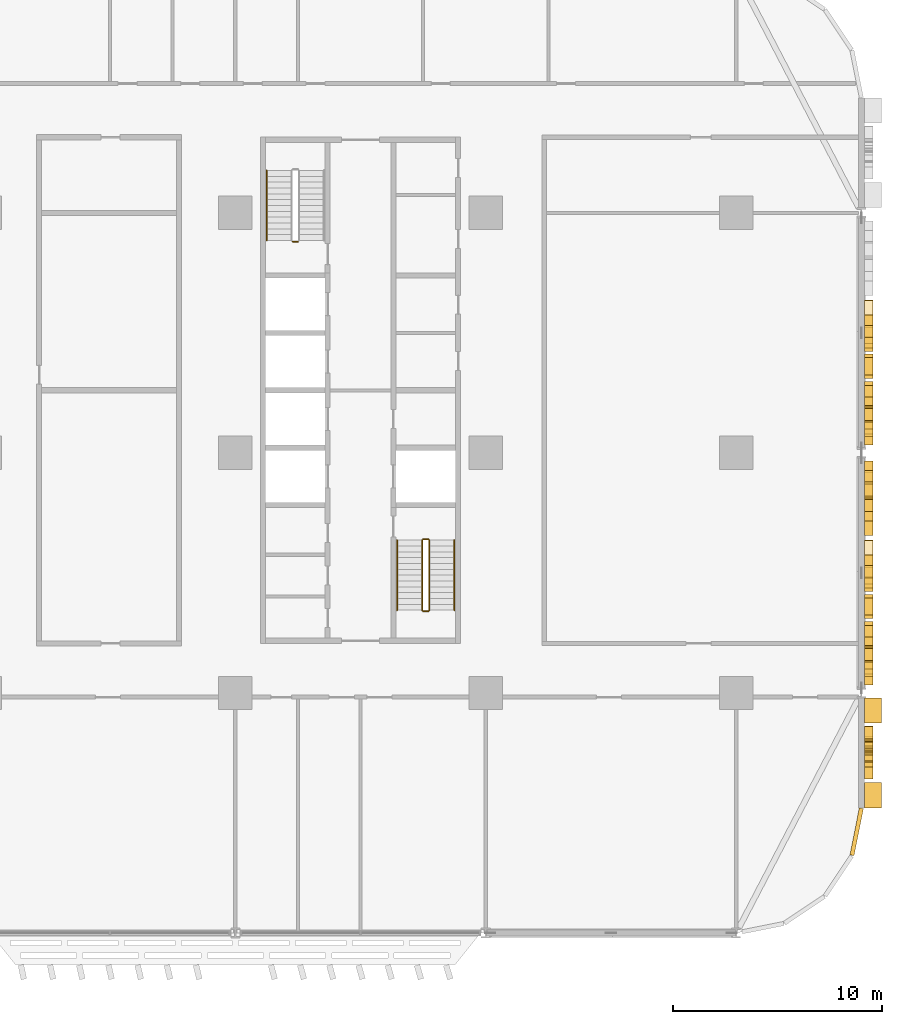
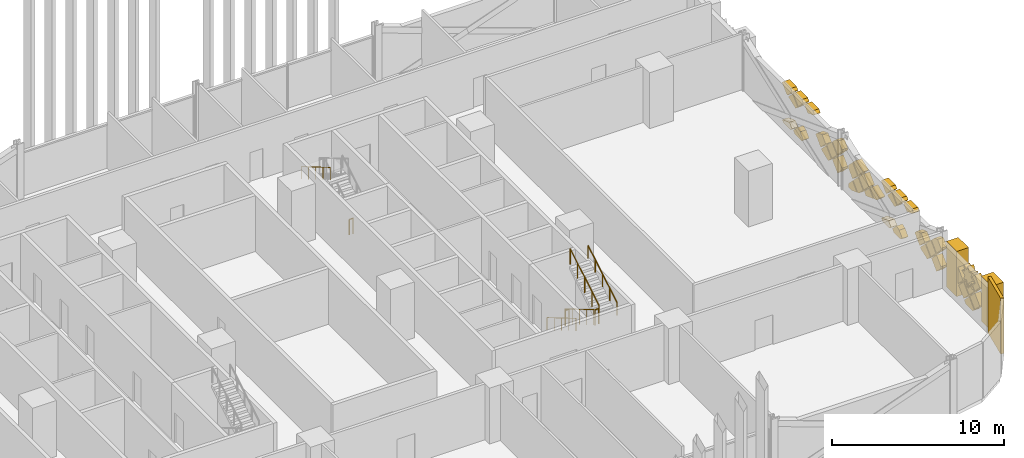
# One storey, part 27 of 29: 39 coverings, 8 railings.
"""IFC4 building model written with IfcOpenShell, lengths in metres."""

from ifc_helpers import new_model, si_unit, direction, frame, origin, origin_2d, place, context, subcontext, project, spatial, polyline, rectangle, circle, outline, extrude, material, layer, layer_set, type_object, element, save


model = new_model("IFC4")

# Units and contexts
model_context = context("Model", 3, precision=1e-05, world=origin(), true_north=direction((0.0, 1.0)))
body_context = subcontext(model_context, "Body", "Model", "MODEL_VIEW")
ifc_project = project(units=[si_unit("LENGTHUNIT", "METRE"), si_unit("AREAUNIT", "SQUARE_METRE"), si_unit("VOLUMEUNIT", "CUBIC_METRE"), si_unit("PLANEANGLEUNIT", "RADIAN"), si_unit("MASSUNIT", "GRAM", prefix="KILO")], contexts=[model_context])

# Site, building, storey
site_placement = place(None, origin())
site = spatial("IfcSite", under=ifc_project, at=site_placement, CompositionType="ELEMENT")
building_placement = place(site_placement, origin())
building = spatial("IfcBuilding", under=site, at=building_placement, Name="Mahtab Terrace Research Tower", CompositionType="ELEMENT")
storey_placement = place(building_placement, frame((0.0, 0.0, 24.39990234375)))
storey = spatial("IfcBuildingStorey", under=building, at=storey_placement, Name="L05", CompositionType="ELEMENT", Elevation=24.39990234375)

# Coverings
ifc_material_1 = material(Name="Black aluminium cladding panel", Category="aluminium")
ifc_layer_1 = layer(ifc_material_1, 0.199951171875)
ifc_layer_set_1 = layer_set([ifc_layer_1], Name="Black metal corner cladding 200")
covering_type_1 = type_object("IfcCoveringType", Name="Black metal corner cladding 200", PredefinedType="CLADDING", material=ifc_layer_set_1)
covering_1_placement = place(storey_placement, frame((47.771484375, -18.14794921875, 0.0), z_axis=(0.0, 0.0, 1.0), x_axis=(0.195212442692, 0.980760981187, 0.0)))
element("IfcCovering", 1, at=covering_1_placement, inside=storey, type_object=covering_type_1, Name="Corner cladding L05 32", PredefinedType="CLADDING", context=body_context, shape_type="SweptSolid", body=[
    extrude(rectangle(XDim=2.30126953125, YDim=0.199951171875, at=origin_2d()), origin(), (0.0, 0.0, 1.0), 3.9599609375),
])
ifc_material_2 = material(Name="Bronze anodised aluminium", Category="aluminium")
ifc_layer_2 = layer(ifc_material_2, 0.39990234375)
ifc_layer_set_2 = layer_set([ifc_layer_2], Name="Mashrabiya relief panel 400")
covering_type_2 = type_object("IfcCoveringType", Name="Mashrabiya relief panel 400", PredefinedType="CLADDING", material=ifc_layer_set_2)
covering_2_placement = place(storey_placement, frame((48.14990234375, -14.10498046875, 2.60107421875), z_axis=(-1.0, 0.0, 0.0), x_axis=(0.0, 0.924784909208, 0.380490304346)))
element("IfcCovering", 2, at=covering_2_placement, inside=storey, type_object=covering_type_2, Name="Girih star panel L05 E33.1", PredefinedType="CLADDING", context=body_context, shape_type="SweptSolid", body=[
    extrude(outline(polyline([(0.0, 0.0), (0.3785719822676483, 0.0), (0.11215445471266995, 0.26895807623038387), (0.37961207055159285, 0.5358142483447127), (0.0017974035497291263, 0.5371818243111587), (0.0018902966904386642, 0.9155280290130825), (-0.2670677795399452, 0.6491105014581041), (-0.5340168447949836, 0.9167938948627515), (-0.53529152762072, 0.5387534502951633), (-0.9138635098883683, 0.5387534502951632), (-0.6475388754740995, 0.270021151630504), (-0.9149964913130224, 0.0031649795161750593), (-0.5371818243111587, 0.0017974035497291263), (-0.5371818243111587, -0.3767745787179192), (-0.2682237480807748, -0.11035705116294083), (-0.0012746828257363951, -0.3780404445675883), (0.0, 0.0)])), origin(), (0.0, 0.0, -1.0), 0.39990234375),
])
covering_3_placement = place(storey_placement, frame((48.14990234375, -15.050048828125, 1.530029296875), z_axis=(-1.0, 0.0, 0.0), x_axis=(0.0, 0.707255598772, -0.706957932274)))
element("IfcCovering", 3, at=covering_3_placement, inside=storey, type_object=covering_type_2, Name="Mashrabiya lattice cell L05 E33.2", PredefinedType="CLADDING", context=body_context, shape_type="SweptSolid", body=[
    extrude(outline(polyline([(0.0, 0.0), (0.8201817362875763, 0.0), (0.8200090664636573, 0.8203543334390104), (-0.00017259715143413956, 0.8200090664636573), (0.0, 0.0)])), origin(), (0.0, 0.0, -1.0), 0.39990234375),
])
covering_4_placement = place(storey_placement, frame((48.14990234375, -15.050048828125, 1.670166015625), z_axis=(-1.0, 0.0, 0.0), x_axis=(0.0, -0.707106781187, 0.707106781187)))
element("IfcCovering", 4, at=covering_4_placement, inside=storey, type_object=covering_type_2, Name="Mashrabiya lattice cell L05 E33.3", PredefinedType="CLADDING", context=body_context, shape_type="SweptSolid", body=[
    extrude(outline(polyline([(0.0, 0.0), (0.8200090846279543, 0.0), (0.820181718119455, 0.820181718119455), (0.5218710448063802, 0.820181718119455), (0.3711620067263372, 0.7571704937217278), (0.46869992942418864, 0.5184183749763678), (0.4595503543746557, 0.4184635833975076), (0.40517080455195975, 0.3627029656428068), (0.32817626734268235, 0.34647541744174826), (0.0628385909062264, 0.4488470779016171), (0.0, 0.29831067331307476), (0.0, 0.0)])), origin(), (0.0, 0.0, -1.0), 0.39990234375),
])
covering_5_placement = place(storey_placement, frame((48.14990234375, -14.97998046875, 0.300048828125), z_axis=(-1.0, 0.0, 0.0), x_axis=(0.0, 0.707106781187, 0.707106781187)))
element("IfcCovering", 5, at=covering_5_placement, inside=storey, type_object=covering_type_2, Name="Mashrabiya lattice cell L05 E33.4", PredefinedType="CLADDING", context=body_context, shape_type="SweptSolid", body=[
    extrude(outline(polyline([(0.0, 0.0), (0.8203543516109556, 0.0), (0.820181718119455, 0.820181718119455), (0.5867812376106141, 0.8201817181194551), (0.0, 0.2334004805088409), (0.0, 0.0)])), origin(), (0.0, 0.0, -1.0), 0.39990234375),
])
covering_6_placement = place(storey_placement, frame((48.14990234375, -13.820068359375, 1.60009765625), z_axis=(-1.0, 0.0, 0.0), x_axis=(0.0, -0.706957932274, -0.707255598772)))
element("IfcCovering", 6, at=covering_6_placement, inside=storey, type_object=covering_type_2, Name="Mashrabiya lattice cell L05 E33.5", PredefinedType="CLADDING", context=body_context, shape_type="SweptSolid", body=[
    extrude(outline(polyline([(0.0, 0.0), (0.8201817362875763, 0.0), (0.8200090664636573, 0.8203543334390104), (0.6674010633575788, 0.8203222122007225), (0.6765677525746102, 0.7390137653259107), (0.6382583068597403, 0.6668449008312943), (0.37104724865108085, 0.5452546770037502), (0.47226359601594403, 0.2928858110586709), (0.46796145758741753, 0.22780207779854778), (0.436208087417592, 0.1746242777255646), (0.3802821046588682, 0.14008580724771275), (0.3152001882108655, 0.13575627129241125), (0.06278873618968497, 0.23686637148447576), (-1.8168121203594734e-05, 0.08631674383827972), (0.0, 0.0)])), origin(), (0.0, 0.0, -1.0), 0.39990234375),
])
covering_7_placement = place(storey_placement, frame((48.14990234375, -13.75, 1.530029296875), z_axis=(-1.0, 0.0, 0.0), x_axis=(0.0, 0.707255598772, -0.706957932274)))
element("IfcCovering", 7, at=covering_7_placement, inside=storey, type_object=covering_type_2, Name="Mashrabiya lattice cell L05 E33.6", PredefinedType="CLADDING", context=body_context, shape_type="SweptSolid", body=[
    extrude(outline(polyline([(0.0, 0.0), (0.8201817362875763, 0.0), (0.8200090664636573, 0.8203543334390104), (-0.0003452669753531423, 0.8201816636150915), (0.0, 0.0)])), origin(), (0.0, 0.0, -1.0), 0.39990234375),
])
covering_8_placement = place(storey_placement, frame((48.14990234375, -13.10009765625, 1.02001953125), z_axis=(-1.0, 0.0, 0.0), x_axis=(0.0, -0.706957932274, 0.707255598772)))
element("IfcCovering", 8, at=covering_8_placement, inside=storey, type_object=covering_type_2, Name="Mashrabiya lattice cell L05 E33.7", PredefinedType="CLADDING", context=body_context, shape_type="SweptSolid", body=[
    extrude(outline(polyline([(0.0, 0.0), (0.8201817362875763, 0.0), (0.8205270032629295, 0.8201816636150915), (0.7977393828896235, 0.8201864599990892), (4.796383997748149e-06, 0.022787620373305846), (0.0, 0.0)])), origin(), (0.0, 0.0, -1.0), 0.39990234375),
])
covering_9_placement = place(storey_placement, frame((48.14990234375, -10.60107421875, 1.530029296875), z_axis=(-1.0, 0.0, 0.0), x_axis=(0.0, 0.707255598772, -0.706957932274)))
element("IfcCovering", 9, at=covering_9_placement, inside=storey, type_object=covering_type_2, Name="Mashrabiya lattice cell L05 E34.1", PredefinedType="CLADDING", context=body_context, shape_type="SweptSolid", body=[
    extrude(outline(polyline([(0.0, 0.0), (0.8201817362875763, 0.0), (0.8200090664636573, 0.8203543334390104), (0.09184101544392964, 0.8202010671685369), (-0.0001532662704735177, 0.7281680510197277), (0.0, 0.0)])), origin(), (0.0, 0.0, -1.0), 0.39990234375),
])
covering_10_placement = place(storey_placement, frame((48.14990234375, -10.02099609375, 2.25), z_axis=(-1.0, 0.0, 0.0), x_axis=(0.0, -0.707255598772, -0.706957932274)))
element("IfcCovering", 10, at=covering_10_placement, inside=storey, type_object=covering_type_2, Name="Mashrabiya lattice cell L05 E34.2", PredefinedType="CLADDING", context=body_context, shape_type="SweptSolid", body=[
    extrude(outline(polyline([(0.0, 0.0), (0.8201817362875763, 0.0), (0.8203350025580498, 0.7281680510197277), (0.7283407208436468, 0.8202010671685369), (0.16417448311665045, 0.8203198140087236), (-7.557938420696408e-05, 0.4611040819203327), (0.0, 0.0)])), origin(), (0.0, 0.0, -1.0), 0.39990234375),
])
covering_11_placement = place(storey_placement, frame((48.14990234375, -9.950927734375, 2.18017578125), z_axis=(-1.0, 0.0, 0.0), x_axis=(0.0, 0.706957932274, -0.707255598772)))
element("IfcCovering", 11, at=covering_11_placement, inside=storey, type_object=covering_type_2, Name="Mashrabiya lattice cell L05 E34.3", PredefinedType="CLADDING", context=body_context, shape_type="SweptSolid", body=[
    extrude(outline(polyline([(0.0, 0.0), (0.8201817362875763, 0.0), (0.8205270032629295, 0.8201816636150915), (0.00017266982391900276, 0.8203543334390104), (0.0, 0.0)])), origin(), (0.0, 0.0, -1.0), 0.39990234375),
])
covering_12_placement = place(storey_placement, frame((48.14990234375, -9.881103515625, 0.9501953125), z_axis=(-1.0, 0.0, 0.0), x_axis=(0.0, 0.707255598772, 0.706957932274)))
element("IfcCovering", 12, at=covering_12_placement, inside=storey, type_object=covering_type_2, Name="Mashrabiya lattice cell L05 E34.4", PredefinedType="CLADDING", context=body_context, shape_type="SweptSolid", body=[
    extrude(outline(polyline([(0.0, 0.0), (0.8201817362875763, 0.0), (0.8205270032629295, 0.8201816636150915), (0.697266693061866, 0.8202076076921702), (0.00010602915534418944, 0.5037445170402004), (0.0, 0.0)])), origin(), (0.0, 0.0, -1.0), 0.39990234375),
])
covering_13_placement = place(storey_placement, frame((48.14990234375, -8.071044921875, 1.60009765625), z_axis=(-1.0, 0.0, 0.0), x_axis=(0.0, -0.706957932274, -0.707255598772)))
element("IfcCovering", 13, at=covering_13_placement, inside=storey, type_object=covering_type_2, Name="Mashrabiya lattice cell L05 E34.5", PredefinedType="CLADDING", context=body_context, shape_type="SweptSolid", body=[
    extrude(outline(polyline([(0.0, 0.0), (0.8201817362875763, 0.0), (0.8200090664636573, 0.8203543334390104), (0.2444490185500081, 0.8202331884068248), (-5.922807512373507e-05, 0.28139258491279184), (0.0, 0.0)])), origin(), (0.0, 0.0, -1.0), 0.39990234375),
])
covering_14_placement = place(storey_placement, frame((48.14990234375, -7.930908203125, 2.900146484375), z_axis=(-1.0, 0.0, 0.0), x_axis=(0.0, 0.707106781187, 0.707106781187)))
element("IfcCovering", 14, at=covering_14_placement, inside=storey, type_object=covering_type_2, Name="Mashrabiya lattice cell L05 E34.6", PredefinedType="CLADDING", context=body_context, shape_type="SweptSolid", body=[
    extrude(outline(polyline([(0.0, 0.0), (0.2375436843048558, 0.0), (0.820181718119455, 0.5826380338145992), (0.820181718119455, 0.820181718119455), (0.2926137680935542, 0.820181718119455), (0.0, 0.1767766952966369), (0.0, 0.0)])), origin(), (0.0, 0.0, -1.0), 0.39990234375),
])
covering_15_placement = place(storey_placement, frame((48.14990234375, -6.631103515625, 0.300048828125), z_axis=(-1.0, 0.0, 0.0), x_axis=(0.0, 0.707106781187, 0.707106781187)))
element("IfcCovering", 15, at=covering_15_placement, inside=storey, type_object=covering_type_2, Name="Mashrabiya lattice cell L05 E34.7", PredefinedType="CLADDING", context=body_context, shape_type="SweptSolid", body=[
    extrude(outline(polyline([(0.0, 0.0), (0.5134120037228497, 0.0), (0.8203543516109556, 0.14017839509850505), (0.8203543516109556, 0.8203543516109556), (0.5869538711021146, 0.8203543516109556), (0.0, 0.2334004805088409), (0.0, 0.0)])), origin(), (0.0, 0.0, -1.0), 0.39990234375),
])
covering_16_placement = place(storey_placement, frame((48.14990234375, -5.470947265625, 2.900146484375), z_axis=(-1.0, 0.0, 0.0), x_axis=(0.0, -0.707106781187, -0.707106781187)))
element("IfcCovering", 16, at=covering_16_placement, inside=storey, type_object=covering_type_2, Name="Mashrabiya lattice cell L05 E34.8", PredefinedType="CLADDING", context=body_context, shape_type="SweptSolid", body=[
    extrude(outline(polyline([(0.0, 0.0), (0.8203543516109556, 0.0), (0.8203543516109556, 0.8203543516109556), (0.5826380338145992, 0.820181718119455), (0.0, 0.2375436843048558), (0.0, 0.0)])), origin(), (0.0, 0.0, -1.0), 0.39990234375),
])
covering_17_placement = place(storey_placement, frame((48.14990234375, -5.98095703125, 2.25), z_axis=(-1.0, 0.0, 0.0), x_axis=(0.0, 0.707106781187, 0.707106781187)))
element("IfcCovering", 17, at=covering_17_placement, inside=storey, type_object=covering_type_2, Name="Mashrabiya lattice cell L05 E34.9", PredefinedType="CLADDING", context=body_context, shape_type="SweptSolid", body=[
    extrude(outline(polyline([(0.0, 0.0), (0.8203543516109556, 0.0), (0.8203543516109556, 0.7140121208465725), (0.0, 0.3393974442902228), (0.0, 0.0)])), origin(), (0.0, 0.0, -1.0), 0.39990234375),
])
covering_18_placement = place(storey_placement, frame((48.14990234375, -5.3310546875, 0.300048828125), z_axis=(-1.0, 0.0, 0.0), x_axis=(0.0, 0.707106781187, 0.707106781187)))
element("IfcCovering", 18, at=covering_18_placement, inside=storey, type_object=covering_type_2, Name="Mashrabiya lattice cell L05 E34.10", PredefinedType="CLADDING", context=body_context, shape_type="SweptSolid", body=[
    extrude(outline(polyline([(0.0, 0.0), (0.4115582437374828, 0.0), (0.7863455537853331, 0.820181718119455), (0.5869538711021146, 0.8203543516109556), (0.0, 0.2334004805088409), (0.0, 0.0)])), origin(), (0.0, 0.0, -1.0), 0.39990234375),
])
covering_19_placement = place(storey_placement, frame((48.14990234375, -5.3310546875, 2.900146484375), z_axis=(-1.0, 0.0, 0.0), x_axis=(0.0, 0.707106781187, 0.707106781187)))
element("IfcCovering", 19, at=covering_19_placement, inside=storey, type_object=covering_type_2, Name="Mashrabiya lattice cell L05 E34.11", PredefinedType="CLADDING", context=body_context, shape_type="SweptSolid", body=[
    extrude(outline(polyline([(0.0, 0.0), (0.2375436843048558, 0.0), (0.820181718119455, 0.5826380338145992), (0.8203543516109556, 0.8203543516109556), (0.1343088563874839, 0.8203543516109556), (0.0, 0.7595873626027366), (0.0, 0.0)])), origin(), (0.0, 0.0, -1.0), 0.39990234375),
])
covering_20_placement = place(storey_placement, frame((48.14990234375, -3.9580078125, 1.527099609375), z_axis=(-1.0, 0.0, 0.0), x_axis=(0.0, 0.936540541173, 0.350559288481)))
element("IfcCovering", 20, at=covering_20_placement, inside=storey, type_object=covering_type_2, Name="Mashrabiya lattice cell L05 E34.12", PredefinedType="CLADDING", context=body_context, shape_type="SweptSolid", body=[
    extrude(outline(polyline([(0.0, 0.0), (0.9011827075507265, -5.551115123125783e-17), (1.0435292276748973, 0.31266219006469476), (0.41560539492692705, 0.5987283725402599), (0.17868422475888357, 0.3924774627043254), (0.0, 0.0)])), origin(), (0.0, 0.0, -1.0), 0.39990234375),
])
covering_21_placement = place(storey_placement, frame((48.14990234375, -2.801025390625, 1.530029296875), z_axis=(-1.0, 0.0, 0.0), x_axis=(0.0, 0.707255598772, -0.706957932274)))
element("IfcCovering", 21, at=covering_21_placement, inside=storey, type_object=covering_type_2, Name="Mashrabiya lattice cell L05 E34.13", PredefinedType="CLADDING", context=body_context, shape_type="SweptSolid", body=[
    extrude(outline(polyline([(0.0, 0.0), (0.8201817362875763, 0.0), (0.8201245430420274, 0.2717251096029046), (-0.0003083493530673942, 0.6447860401357071), (0.0, 0.0)])), origin(), (0.0, 0.0, -1.0), 0.39990234375),
])
covering_22_placement = place(storey_placement, frame((48.14990234375, -2.15087890625, 2.18017578125), z_axis=(-1.0, 0.0, 0.0), x_axis=(0.0, 0.706957932274, -0.707255598772)))
element("IfcCovering", 22, at=covering_22_placement, inside=storey, type_object=covering_type_2, Name="Mashrabiya lattice cell L05 E34.14", PredefinedType="CLADDING", context=body_context, shape_type="SweptSolid", body=[
    extrude(outline(polyline([(0.0, 0.0), (0.8201817362875763, 0.0), (0.8205270032629295, 0.8201816636150915), (0.00017266982391900276, 0.8203543334390104), (0.0, 0.0)])), origin(), (0.0, 0.0, -1.0), 0.39990234375),
])
covering_23_placement = place(storey_placement, frame((48.14990234375, -2.0810546875, 0.9501953125), z_axis=(-1.0, 0.0, 0.0), x_axis=(0.0, 0.707255598772, 0.706957932274)))
element("IfcCovering", 23, at=covering_23_placement, inside=storey, type_object=covering_type_2, Name="Mashrabiya lattice cell L05 E34.15", PredefinedType="CLADDING", context=body_context, shape_type="SweptSolid", body=[
    extrude(outline(polyline([(0.0, 0.0), (0.8201817362875763, 0.0), (0.8205270032629295, 0.8201816636150915), (0.04816477939800251, 0.8203442319636213), (0.0001500686811417018, 0.7129763041041906), (0.0, 0.0)])), origin(), (0.0, 0.0, -1.0), 0.39990234375),
])
covering_24_placement = place(storey_placement, frame((48.14990234375, -0.9208984375, 2.25), z_axis=(-1.0, 0.0, 0.0), x_axis=(0.0, -0.707255598772, -0.706957932274)))
element("IfcCovering", 24, at=covering_24_placement, inside=storey, type_object=covering_type_2, Name="Mashrabiya lattice cell L05 E34.16", PredefinedType="CLADDING", context=body_context, shape_type="SweptSolid", body=[
    extrude(outline(polyline([(0.0, 0.0), (0.8201817362875763, 0.0), (0.8203499004174368, 0.798947780967117), (8.931448383686647e-05, 0.4243331127089831), (0.0, 0.0)])), origin(), (0.0, 0.0, -1.0), 0.39990234375),
])
covering_25_placement = place(storey_placement, frame((48.14990234375, -0.43603515625, 0.135009765625), z_axis=(-1.0, 0.0, 0.0), x_axis=(0.0, -1.0, 0.0)))
element("IfcCovering", 25, at=covering_25_placement, inside=storey, type_object=covering_type_2, Name="Mashrabiya lattice cell L05 E34.17", PredefinedType="CLADDING", context=body_context, shape_type="SweptSolid", body=[
    extrude(outline(polyline([(0.0, 0.0), (0.31005859375, 0.0), (0.928955078125, 0.231201171875), (0.4150390625, 0.7451171875), (-0.052001953125, 0.278076171875), (-0.052001953125, 0.052001953125), (0.0, 0.0)])), origin(), (0.0, 0.0, -1.0), 0.39990234375),
])
covering_26_placement = place(storey_placement, frame((48.14990234375, -0.85107421875, 1.02001953125), z_axis=(-1.0, 0.0, 0.0), x_axis=(0.0, -0.706957932274, 0.707255598772)))
element("IfcCovering", 26, at=covering_26_placement, inside=storey, type_object=covering_type_2, Name="Mashrabiya lattice cell L05 E34.18", PredefinedType="CLADDING", context=body_context, shape_type="SweptSolid", body=[
    extrude(outline(polyline([(0.0, 0.0), (0.8201817362875763, 0.0), (0.8205270032629295, 0.8201816636150915), (0.16003127941241302, 0.8203206860785415), (0.00013902246344993374, 0.6604957238505165), (0.0, 0.0)])), origin(), (0.0, 0.0, -1.0), 0.39990234375),
])
covering_27_placement = place(storey_placement, frame((48.14990234375, 0.89892578125, 1.530029296875), z_axis=(-1.0, 0.0, 0.0), x_axis=(0.0, 0.707255598772, -0.706957932274)))
element("IfcCovering", 27, at=covering_27_placement, inside=storey, type_object=covering_type_2, Name="Mashrabiya lattice cell L05 E35.1", PredefinedType="CLADDING", context=body_context, shape_type="SweptSolid", body=[
    extrude(outline(polyline([(0.0, 0.0), (0.8201817362875763, 0.0), (0.8200090664636573, 0.8203543334390104), (0.09184101544392964, 0.8202010671685369), (-0.0001532662704735177, 0.7281680510197277), (0.0, 0.0)])), origin(), (0.0, 0.0, -1.0), 0.39990234375),
])
covering_28_placement = place(storey_placement, frame((48.14990234375, 1.47900390625, 2.25), z_axis=(-1.0, 0.0, 0.0), x_axis=(0.0, -0.707255598772, -0.706957932274)))
element("IfcCovering", 28, at=covering_28_placement, inside=storey, type_object=covering_type_2, Name="Mashrabiya lattice cell L05 E35.2", PredefinedType="CLADDING", context=body_context, shape_type="SweptSolid", body=[
    extrude(outline(polyline([(0.0, 0.0), (0.8201817362875763, 0.0), (0.8203350025580498, 0.7281680510197277), (0.7283407208436468, 0.8202010671685369), (0.16417448311665045, 0.8203198140087236), (-7.557938420696408e-05, 0.4611040819203327), (0.0, 0.0)])), origin(), (0.0, 0.0, -1.0), 0.39990234375),
])
covering_29_placement = place(storey_placement, frame((48.14990234375, 1.549072265625, 2.18017578125), z_axis=(-1.0, 0.0, 0.0), x_axis=(0.0, 0.706957932274, -0.707255598772)))
element("IfcCovering", 29, at=covering_29_placement, inside=storey, type_object=covering_type_2, Name="Mashrabiya lattice cell L05 E35.3", PredefinedType="CLADDING", context=body_context, shape_type="SweptSolid", body=[
    extrude(outline(polyline([(0.0, 0.0), (0.8201817362875763, 0.0), (0.8205270032629295, 0.8201816636150915), (0.00017266982391900276, 0.8203543334390104), (0.0, 0.0)])), origin(), (0.0, 0.0, -1.0), 0.39990234375),
])
covering_30_placement = place(storey_placement, frame((48.14990234375, 1.618896484375, 0.9501953125), z_axis=(-1.0, 0.0, 0.0), x_axis=(0.0, 0.707255598772, 0.706957932274)))
element("IfcCovering", 30, at=covering_30_placement, inside=storey, type_object=covering_type_2, Name="Mashrabiya lattice cell L05 E35.4", PredefinedType="CLADDING", context=body_context, shape_type="SweptSolid", body=[
    extrude(outline(polyline([(0.0, 0.0), (0.8201817362875763, 0.0), (0.8205270032629295, 0.8201816636150915), (0.697266693061866, 0.8202076076921702), (0.00010602915534418944, 0.5037445170402004), (0.0, 0.0)])), origin(), (0.0, 0.0, -1.0), 0.39990234375),
])
covering_31_placement = place(storey_placement, frame((48.14990234375, 3.428955078125, 1.60009765625), z_axis=(-1.0, 0.0, 0.0), x_axis=(0.0, -0.706957932274, -0.707255598772)))
element("IfcCovering", 31, at=covering_31_placement, inside=storey, type_object=covering_type_2, Name="Mashrabiya lattice cell L05 E35.5", PredefinedType="CLADDING", context=body_context, shape_type="SweptSolid", body=[
    extrude(outline(polyline([(0.0, 0.0), (0.8201817362875763, 0.0), (0.8200090664636573, 0.8203543334390104), (0.2444490185500081, 0.8202331884068248), (-5.922807512373507e-05, 0.28139258491279184), (0.0, 0.0)])), origin(), (0.0, 0.0, -1.0), 0.39990234375),
])
covering_32_placement = place(storey_placement, frame((48.14990234375, 3.569091796875, 2.900146484375), z_axis=(-1.0, 0.0, 0.0), x_axis=(0.0, 0.707106781187, 0.707106781187)))
element("IfcCovering", 32, at=covering_32_placement, inside=storey, type_object=covering_type_2, Name="Mashrabiya lattice cell L05 E35.6", PredefinedType="CLADDING", context=body_context, shape_type="SweptSolid", body=[
    extrude(outline(polyline([(0.0, 0.0), (0.2375436843048558, 0.0), (0.820181718119455, 0.5826380338145992), (0.820181718119455, 0.820181718119455), (0.2926137680935542, 0.820181718119455), (0.0, 0.1767766952966369), (0.0, 0.0)])), origin(), (0.0, 0.0, -1.0), 0.39990234375),
])
covering_33_placement = place(storey_placement, frame((48.14990234375, 4.868896484375, 0.300048828125), z_axis=(-1.0, 0.0, 0.0), x_axis=(0.0, 0.707106781187, 0.707106781187)))
element("IfcCovering", 33, at=covering_33_placement, inside=storey, type_object=covering_type_2, Name="Mashrabiya lattice cell L05 E35.7", PredefinedType="CLADDING", context=body_context, shape_type="SweptSolid", body=[
    extrude(outline(polyline([(0.0, 0.0), (0.5134120037228497, 0.0), (0.8203543516109556, 0.14017839509850505), (0.8203543516109556, 0.8203543516109556), (0.5869538711021146, 0.8203543516109556), (0.0, 0.2334004805088409), (0.0, 0.0)])), origin(), (0.0, 0.0, -1.0), 0.39990234375),
])
covering_34_placement = place(storey_placement, frame((48.14990234375, 6.029052734375, 2.900146484375), z_axis=(-1.0, 0.0, 0.0), x_axis=(0.0, -0.707106781187, -0.707106781187)))
element("IfcCovering", 34, at=covering_34_placement, inside=storey, type_object=covering_type_2, Name="Mashrabiya lattice cell L05 E35.8", PredefinedType="CLADDING", context=body_context, shape_type="SweptSolid", body=[
    extrude(outline(polyline([(0.0, 0.0), (0.8203543516109556, 0.0), (0.8203543516109556, 0.8203543516109556), (0.5826380338145992, 0.820181718119455), (0.0, 0.2375436843048558), (0.0, 0.0)])), origin(), (0.0, 0.0, -1.0), 0.39990234375),
])
covering_35_placement = place(storey_placement, frame((48.14990234375, 5.51904296875, 2.25), z_axis=(-1.0, 0.0, 0.0), x_axis=(0.0, 0.707106781187, 0.707106781187)))
element("IfcCovering", 35, at=covering_35_placement, inside=storey, type_object=covering_type_2, Name="Mashrabiya lattice cell L05 E35.9", PredefinedType="CLADDING", context=body_context, shape_type="SweptSolid", body=[
    extrude(outline(polyline([(0.0, 0.0), (0.8203543516109556, 0.0), (0.8203543516109556, 0.7140121208465725), (0.0, 0.3393974442902228), (0.0, 0.0)])), origin(), (0.0, 0.0, -1.0), 0.39990234375),
])
covering_36_placement = place(storey_placement, frame((48.14990234375, 6.1689453125, 0.300048828125), z_axis=(-1.0, 0.0, 0.0), x_axis=(0.0, 0.707106781187, 0.707106781187)))
element("IfcCovering", 36, at=covering_36_placement, inside=storey, type_object=covering_type_2, Name="Mashrabiya lattice cell L05 E35.10", PredefinedType="CLADDING", context=body_context, shape_type="SweptSolid", body=[
    extrude(outline(polyline([(0.0, 0.0), (0.4115582437374828, 0.0), (0.7863455537853331, 0.820181718119455), (0.5869538711021146, 0.8203543516109556), (0.0, 0.2334004805088409), (0.0, 0.0)])), origin(), (0.0, 0.0, -1.0), 0.39990234375),
])
covering_37_placement = place(storey_placement, frame((48.14990234375, 6.1689453125, 2.900146484375), z_axis=(-1.0, 0.0, 0.0), x_axis=(0.0, 0.707106781187, 0.707106781187)))
element("IfcCovering", 37, at=covering_37_placement, inside=storey, type_object=covering_type_2, Name="Mashrabiya lattice cell L05 E35.11", PredefinedType="CLADDING", context=body_context, shape_type="SweptSolid", body=[
    extrude(outline(polyline([(0.0, 0.0), (0.2375436843048558, 0.0), (0.820181718119455, 0.5826380338145992), (0.8203543516109556, 0.8203543516109556), (0.1343088563874839, 0.8203543516109556), (0.0, 0.7595873626027366), (0.0, 0.0)])), origin(), (0.0, 0.0, -1.0), 0.39990234375),
])
ifc_material_3 = material(Name="Glazed ceramic tile cladding", Category="masonry")
ifc_layer_3 = layer(ifc_material_3, 0.800048828125)
ifc_layer_set_3 = layer_set([ifc_layer_3], Name="Pishtaq frame pier 800")
covering_type_3 = type_object("IfcCoveringType", Name="Pishtaq frame pier 800", PredefinedType="CLADDING", material=ifc_layer_set_3)
for number, where, z_axis, x_axis, name in (
    (38, (48.550048828125, -16.39990234375, 0.00048828125), (0.0, 0.0, 1.0), (0.0, 1.0, 0.0), "Pishtaq frame pier 33a"),
    (39, (48.550048828125, -12.34912109375, 0.00048828125), (0.0, 0.0, 1.0), (0.0, 1.0, 0.0), "Pishtaq frame pier 33b"),
):
    element("IfcCovering", number, at=place(storey_placement, frame(where, z_axis=z_axis, x_axis=x_axis)), inside=storey, type_object=covering_type_3, Name=name, PredefinedType="CLADDING", context=body_context, shape_type="SweptSolid", body=[
        extrude(rectangle(XDim=1.199951171875, YDim=0.800048828125, at=origin_2d()), origin(), (0.0, 0.0, 1.0), 3.202880859375),
    ])

# Railings
ifc_material_4 = material(Name="Stainless steel AISI 304", Category="steel")
railing_type_1 = type_object("IfcRailingType", Name="Stair guard 1100", PredefinedType="GUARDRAIL", material=ifc_material_4)
railing_1_placement = place(storey_placement, frame((21.0, 10.125, 0.0)))
element("IfcRailing", 40, at=railing_1_placement, inside=storey, type_object=railing_type_1, Name="L05 ST3 stair guard 4", PredefinedType="GUARDRAIL", context=body_context, shape_type="SweptSolid", body=[
    extrude(circle(Radius=0.02392578125, at=origin_2d()), frame((0.0, 0.0, 1.076171875), z_axis=(-1.0, 0.0, 0.0), x_axis=(0.0, -1.0, 0.0)), (0.0, 0.0, 1.0), 0.25),
    extrude(circle(Radius=0.02099609375, at=origin_2d()), origin(), (0.0, 0.0, 1.0), 1.052001953125),
    extrude(circle(Radius=0.02099609375, at=origin_2d()), frame((-0.25, 0.0, 0.0)), (0.0, 0.0, 1.0), 1.052001953125),
])
railing_2_placement = place(storey_placement, frame((26.949951171875, -4.175048828125, 0.16552734375)))
element("IfcRailing", 41, at=railing_2_placement, inside=storey, type_object=railing_type_1, Name="L05 ST4 stair guard 1", PredefinedType="GUARDRAIL", context=body_context, shape_type="SweptSolid", body=[
    extrude(circle(Radius=0.02392578125, at=origin_2d()), frame((0.0, 0.0, 1.076171875), z_axis=(0.0, -0.861011212953, 0.508585972249), x_axis=(1.0, 0.0, 0.0)), (0.0, 0.0, 1.0), 3.90234375),
    extrude(circle(Radius=0.02099609375, at=origin_2d()), origin(), (0.0, 0.0, 1.0), 1.052001953125),
    extrude(circle(Radius=0.02099609375, at=origin_2d()), frame((0.0, -0.83984375, 0.49609375)), (0.0, 0.0, 1.0), 1.052001953125),
    extrude(circle(Radius=0.02099609375, at=origin_2d()), frame((0.0, -1.679931640625, 0.9921875)), (0.0, 0.0, 1.0), 1.052001953125),
    extrude(circle(Radius=0.02099609375, at=origin_2d()), frame((0.0, -2.52001953125, 1.488525390625)), (0.0, 0.0, 1.0), 1.052001953125),
    extrude(circle(Radius=0.02099609375, at=origin_2d()), frame((0.0, -3.35986328125, 1.984619140625)), (0.0, 0.0, 1.0), 1.052001953125),
])
railing_3_placement = place(storey_placement, frame((27.0, -7.5849609375, 2.150146484375)))
element("IfcRailing", 42, at=railing_3_placement, inside=storey, type_object=railing_type_1, Name="L05 ST4 stair guard 2", PredefinedType="GUARDRAIL", context=body_context, shape_type="SweptSolid", body=[
    extrude(circle(Radius=0.02392578125, at=origin_2d()), frame((0.0, 0.0, 1.076171875), z_axis=(1.0, 0.0, 0.0), x_axis=(0.0, 1.0, 0.0)), (0.0, 0.0, 1.0), 0.25),
    extrude(circle(Radius=0.02099609375, at=origin_2d()), origin(), (0.0, 0.0, 1.0), 1.052001953125),
    extrude(circle(Radius=0.02099609375, at=origin_2d()), frame((0.25, 0.0, 0.0)), (0.0, 0.0, 1.0), 1.052001953125),
])
railing_4_placement = place(storey_placement, frame((27.300048828125, -7.534912109375, 2.3154296875)))
element("IfcRailing", 43, at=railing_4_placement, inside=storey, type_object=railing_type_1, Name="L05 ST4 stair guard 3", PredefinedType="GUARDRAIL", context=body_context, shape_type="SweptSolid", body=[
    extrude(circle(Radius=0.02392578125, at=origin_2d()), frame((0.0, 0.0, 1.076171875), z_axis=(0.0, 0.861011212953, 0.508585972249), x_axis=(-1.0, 0.0, 0.0)), (0.0, 0.0, 1.0), 3.90234375),
    extrude(circle(Radius=0.02099609375, at=origin_2d()), origin(), (0.0, 0.0, 1.0), 1.052001953125),
    extrude(circle(Radius=0.02099609375, at=origin_2d()), frame((0.0, 0.83984375, 0.49609375)), (0.0, 0.0, 1.0), 1.052001953125),
    extrude(circle(Radius=0.02099609375, at=origin_2d()), frame((0.0, 1.679931640625, 0.9921875)), (0.0, 0.0, 1.0), 1.052001953125),
    extrude(circle(Radius=0.02099609375, at=origin_2d()), frame((0.0, 2.52001953125, 1.488525390625)), (0.0, 0.0, 1.0), 1.052001953125),
    extrude(circle(Radius=0.02099609375, at=origin_2d()), frame((0.0, 3.35986328125, 1.984619140625)), (0.0, 0.0, 1.0), 1.052001953125),
])
railing_5_placement = place(storey_placement, frame((27.0, -4.125, 0.0)))
element("IfcRailing", 44, at=railing_5_placement, inside=storey, type_object=railing_type_1, Name="L05 ST4 stair guard 4", PredefinedType="GUARDRAIL", context=body_context, shape_type="SweptSolid", body=[
    extrude(circle(Radius=0.02392578125, at=origin_2d()), frame((0.0, 0.0, 1.076171875), z_axis=(1.0, 0.0, 0.0), x_axis=(0.0, 1.0, 0.0)), (0.0, 0.0, 1.0), 0.25),
    extrude(circle(Radius=0.02099609375, at=origin_2d()), origin(), (0.0, 0.0, 1.0), 1.052001953125),
    extrude(circle(Radius=0.02099609375, at=origin_2d()), frame((0.25, 0.0, 0.0)), (0.0, 0.0, 1.0), 1.052001953125),
])
railing_type_2 = type_object("IfcRailingType", Name="Stair handrail 900", PredefinedType="HANDRAIL", material=ifc_material_4)
for number, where, name in (
    (45, (19.5, 13.534912109375, 2.3154296875), "L05 ST3 stair handrail 2"),
    (46, (25.75, -4.175048828125, 0.16552734375), "L05 ST4 stair handrail 1"),
):
    element("IfcRailing", number, at=place(storey_placement, frame(where)), inside=storey, type_object=railing_type_2, Name=name, PredefinedType="HANDRAIL", context=body_context, shape_type="SweptSolid", body=[
        extrude(circle(Radius=0.02392578125, at=origin_2d()), frame((0.0, 0.0, 0.8759765625), z_axis=(0.0, -0.861011212953, 0.508585972249), x_axis=(1.0, 0.0, 0.0)), (0.0, 0.0, 1.0), 3.90234375),
        extrude(circle(Radius=0.02099609375, at=origin_2d()), origin(), (0.0, 0.0, 1.0), 0.851806640625),
        extrude(circle(Radius=0.02099609375, at=origin_2d()), frame((0.0, -0.83984375, 0.49609375)), (0.0, 0.0, 1.0), 0.851806640625),
        extrude(circle(Radius=0.02099609375, at=origin_2d()), frame((0.0, -1.679931640625, 0.9921875)), (0.0, 0.0, 1.0), 0.851806640625),
        extrude(circle(Radius=0.02099609375, at=origin_2d()), frame((0.0, -2.52001953125, 1.488525390625)), (0.0, 0.0, 1.0), 0.851806640625),
        extrude(circle(Radius=0.02099609375, at=origin_2d()), frame((0.0, -3.35986328125, 1.984619140625)), (0.0, 0.0, 1.0), 0.851806640625),
    ])
railing_6_placement = place(storey_placement, frame((28.5, -7.534912109375, 2.3154296875)))
element("IfcRailing", 47, at=railing_6_placement, inside=storey, type_object=railing_type_2, Name="L05 ST4 stair handrail 2", PredefinedType="HANDRAIL", context=body_context, shape_type="SweptSolid", body=[
    extrude(circle(Radius=0.02392578125, at=origin_2d()), frame((0.0, 0.0, 0.8759765625), z_axis=(0.0, 0.861011212953, 0.508585972249), x_axis=(-1.0, 0.0, 0.0)), (0.0, 0.0, 1.0), 3.90234375),
    extrude(circle(Radius=0.02099609375, at=origin_2d()), origin(), (0.0, 0.0, 1.0), 0.851806640625),
    extrude(circle(Radius=0.02099609375, at=origin_2d()), frame((0.0, 0.83984375, 0.49609375)), (0.0, 0.0, 1.0), 0.851806640625),
    extrude(circle(Radius=0.02099609375, at=origin_2d()), frame((0.0, 1.679931640625, 0.9921875)), (0.0, 0.0, 1.0), 0.851806640625),
    extrude(circle(Radius=0.02099609375, at=origin_2d()), frame((0.0, 2.52001953125, 1.488525390625)), (0.0, 0.0, 1.0), 0.851806640625),
    extrude(circle(Radius=0.02099609375, at=origin_2d()), frame((0.0, 3.35986328125, 1.984619140625)), (0.0, 0.0, 1.0), 0.851806640625),
])

save(model, "model.ifc")
